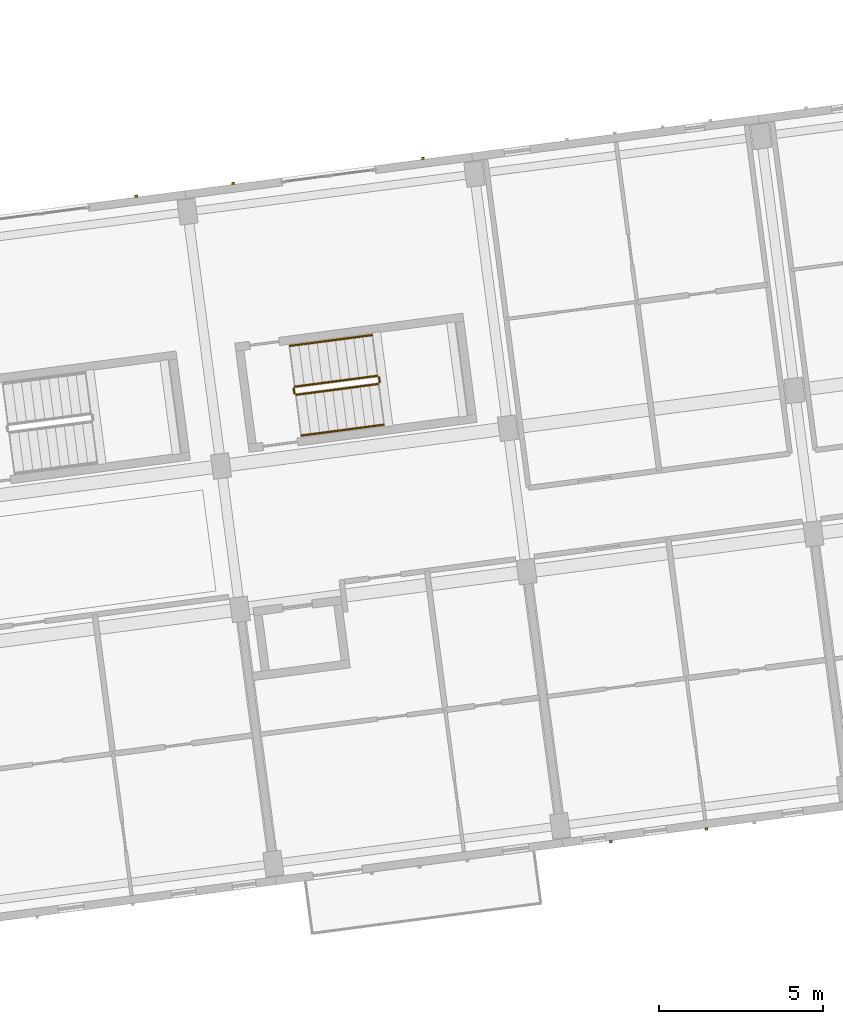
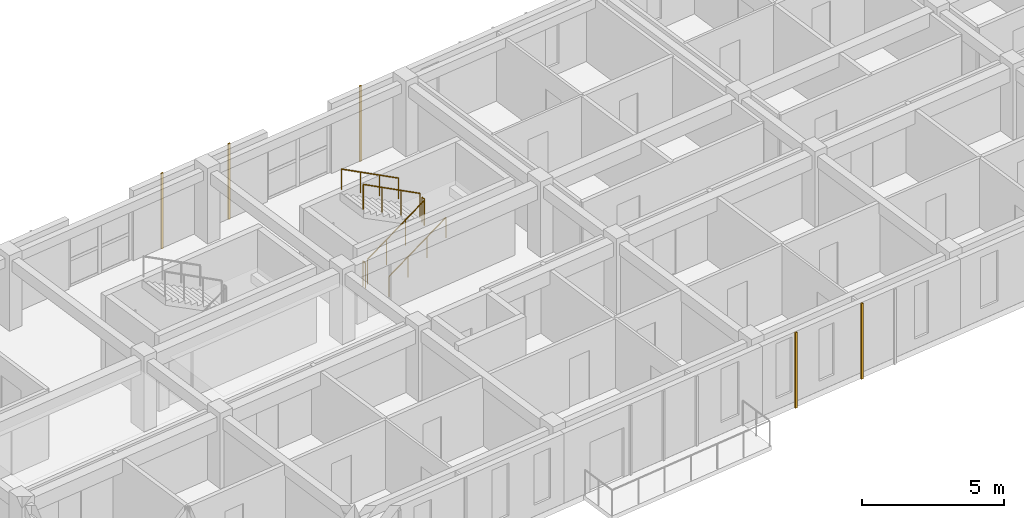
# One storey, part 43 of 65: 6 railings, 5 coverings.
"""IFC4 building model written with IfcOpenShell, lengths in metres."""

from ifc_helpers import new_model, si_unit, direction, frame, origin, origin_2d, place, context, subcontext, project, spatial, rectangle, circle, extrude, material, layer, layer_set, type_object, element, save


model = new_model("IFC4")

# Units and contexts
model_context = context("Model", 3, precision=1e-05, world=origin(), true_north=direction((0.0, 1.0)))
body_context = subcontext(model_context, "Body", "Model", "MODEL_VIEW")
ifc_project = project(units=[si_unit("LENGTHUNIT", "METRE"), si_unit("AREAUNIT", "SQUARE_METRE"), si_unit("VOLUMEUNIT", "CUBIC_METRE"), si_unit("PLANEANGLEUNIT", "RADIAN"), si_unit("MASSUNIT", "GRAM", prefix="KILO")], contexts=[model_context])

# Site, building, storey
site_placement = place(None, origin())
site = spatial("IfcSite", under=ifc_project, at=site_placement, CompositionType="ELEMENT")
building_placement = place(site_placement, origin())
building = spatial("IfcBuilding", under=site, at=building_placement, Name="Kestramere Prow Commons", CompositionType="ELEMENT")
storey_placement = place(building_placement, frame((0.0, 0.0, 21.39990234375)))
storey = spatial("IfcBuildingStorey", under=building, at=storey_placement, Name="L06", CompositionType="ELEMENT", Elevation=21.39990234375)

# Coverings
ifc_material_1 = material(Name="Weathered Zinc-Titanium Standing-Seam Cladding")
ifc_layer = layer(ifc_material_1, 0.074951171875)
ifc_layer_set = layer_set([ifc_layer], Name="Weathered Zinc-Titanium Standing-Seam Cladding")
covering_type = type_object("IfcCoveringType", Name="COV-CLAD-SEAM", PredefinedType="CLADDING", material=ifc_layer_set)
for number, where, z_axis, x_axis, name in (
    (1, (41.824951171875, 75.348388671875, -0.25), (0.0, 0.0, 1.0), (-0.991444861374, -0.13052619222, 0.0), "EW-A-L06-S-3 Standing-Seam Rib 3"),
    (2, (38.916748046875, 74.965576171875, -0.25), (0.0, 0.0, 1.0), (-0.991444861374, -0.13052619222, 0.0), "EW-A-L06-S-3 Standing-Seam Rib 5"),
    (3, (24.4755859375, 94.603759765625, -0.25), (0.0, 0.0, 1.0), (0.991444861374, 0.13052619222, 0.0), "EW-A-L06-NP-1-R Standing-Seam Rib 1"),
    (4, (27.42529296875, 94.991943359375, -0.25), (0.0, 0.0, 1.0), (0.991444861374, 0.13052619222, 0.0), "EW-A-L06-NP-2-L Standing-Seam Rib 1"),
    (5, (33.200439453125, 95.75244140625, -0.25), (0.0, 0.0, 1.0), (0.991444861374, 0.13052619222, 0.0), "EW-A-L06-NP-2-R Standing-Seam Rib 1"),
):
    element("IfcCovering", number, at=place(storey_placement, frame(where, z_axis=z_axis, x_axis=x_axis)), inside=storey, type_object=covering_type, Name=name, PredefinedType="CLADDING", context=body_context, shape_type="SweptSolid", body=[
        extrude(rectangle(XDim=0.0849609375, YDim=0.06494140625, at=origin_2d()), origin(), (0.0, 0.0, 1.0), 3.25),
    ])

# Railings
ifc_material_2 = material(Name="Galvanised Steel S275JR", Category="steel")
railing_type_1 = type_object("IfcRailingType", Name="RL-ST-GR-1100", PredefinedType="GUARDRAIL", material=ifc_material_2)
railing_1_placement = place(storey_placement, frame((29.34375, 88.559814453125, 0.16259765625)))
element("IfcRailing", 6, at=railing_1_placement, inside=storey, type_object=railing_type_1, Name="L06 ST-A2 stair guard 1", PredefinedType="GUARDRAIL", context=body_context, shape_type="SweptSolid", body=[
    extrude(circle(Radius=0.02392578125, at=origin_2d()), frame((0.0, 0.0, 1.076171875), z_axis=(0.857492745196, 0.112958098361, 0.501942885148), x_axis=(-0.130602379397, 0.991434828164, 0.0)), (0.0, 0.0, 1.0), 2.91357421875),
    extrude(circle(Radius=0.02099609375, at=origin_2d()), origin(), (0.0, 0.0, 1.0), 1.052001953125),
    extrude(circle(Radius=0.02099609375, at=origin_2d()), frame((0.832763671875, 0.109619140625, 0.487548828125)), (0.0, 0.0, 1.0), 1.052001953125),
    extrude(circle(Radius=0.02099609375, at=origin_2d()), frame((1.66552734375, 0.219482421875, 0.974853515625)), (0.0, 0.0, 1.0), 1.052001953125),
    extrude(circle(Radius=0.02099609375, at=origin_2d()), frame((2.498291015625, 0.3291015625, 1.46240234375)), (0.0, 0.0, 1.0), 1.052001953125),
])
railing_2_placement = place(storey_placement, frame((31.88525390625, 88.94482421875, 1.625)))
element("IfcRailing", 7, at=railing_2_placement, inside=storey, type_object=railing_type_1, Name="L06 ST-A2 stair guard 2", PredefinedType="GUARDRAIL", context=body_context, shape_type="SweptSolid", body=[
    extrude(circle(Radius=0.02392578125, at=origin_2d()), frame((0.0, 0.0, 1.076171875), z_axis=(-0.1300340368, 0.991509530601, 0.0), x_axis=(-0.991509530601, -0.1300340368, 0.0)), (0.0, 0.0, 1.0), 0.150146484375),
    extrude(circle(Radius=0.02099609375, at=origin_2d()), origin(), (0.0, 0.0, 1.0), 1.052001953125),
    extrude(circle(Radius=0.02099609375, at=origin_2d()), frame((-0.01953125, 0.14892578125, 0.0)), (0.0, 0.0, 1.0), 1.052001953125),
])
railing_3_placement = place(storey_placement, frame((31.8095703125, 89.13671875, 1.78759765625)))
element("IfcRailing", 8, at=railing_3_placement, inside=storey, type_object=railing_type_1, Name="L06 ST-A2 stair guard 3", PredefinedType="GUARDRAIL", context=body_context, shape_type="SweptSolid", body=[
    extrude(circle(Radius=0.02392578125, at=origin_2d()), frame((0.0, 0.0, 1.076171875), z_axis=(-0.85752303711, -0.112867259233, 0.501911568525), x_axis=(0.130494608992, -0.991449018873, 0.0)), (0.0, 0.0, 1.0), 2.91357421875),
    extrude(circle(Radius=0.02099609375, at=origin_2d()), origin(), (0.0, 0.0, 1.0), 1.052001953125),
    extrude(circle(Radius=0.02099609375, at=origin_2d()), frame((-0.832763671875, -0.109619140625, 0.487548828125)), (0.0, 0.0, 1.0), 1.052001953125),
    extrude(circle(Radius=0.02099609375, at=origin_2d()), frame((-1.665771484375, -0.21923828125, 0.974853515625)), (0.0, 0.0, 1.0), 1.052001953125),
    extrude(circle(Radius=0.02099609375, at=origin_2d()), frame((-2.49853515625, -0.328857421875, 1.46240234375)), (0.0, 0.0, 1.0), 1.052001953125),
])
railing_4_placement = place(storey_placement, frame((29.28759765625, 88.60302734375, 0.0)))
element("IfcRailing", 9, at=railing_4_placement, inside=storey, type_object=railing_type_1, Name="L06 ST-A2 stair guard 4", PredefinedType="GUARDRAIL", context=body_context, shape_type="SweptSolid", body=[
    extrude(circle(Radius=0.02392578125, at=origin_2d()), frame((0.0, 0.0, 1.076171875), z_axis=(-0.130243938252, 0.991481979941, 0.0), x_axis=(-0.991481979941, -0.130243938252, 0.0)), (0.0, 0.0, 1.0), 0.14990234375),
    extrude(circle(Radius=0.02099609375, at=origin_2d()), origin(), (0.0, 0.0, 1.0), 1.052001953125),
    extrude(circle(Radius=0.02099609375, at=origin_2d()), frame((-0.01953125, 0.148681640625, 0.0)), (0.0, 0.0, 1.0), 1.052001953125),
])
ifc_material_3 = material(Name="Stainless Steel 304", Category="steel")
railing_type_2 = type_object("IfcRailingType", Name="RL-ST-HR-900", PredefinedType="HANDRAIL", material=ifc_material_3)
railing_5_placement = place(storey_placement, frame((29.5068359375, 87.320556640625, 0.3251953125)))
element("IfcRailing", 10, at=railing_5_placement, inside=storey, type_object=railing_type_2, Name="L06 ST-A2 stair handrail 1", PredefinedType="HANDRAIL", context=body_context, shape_type="SweptSolid", body=[
    extrude(circle(Radius=0.02392578125, at=origin_2d()), frame((0.0, 0.0, 0.8759765625), z_axis=(0.85752303711, 0.112867259233, 0.501911568525), x_axis=(-0.130494608992, 0.991449018873, 0.0)), (0.0, 0.0, 1.0), 2.91357421875),
    extrude(circle(Radius=0.02099609375, at=origin_2d()), origin(), (0.0, 0.0, 1.0), 0.851806640625),
    extrude(circle(Radius=0.02099609375, at=origin_2d()), frame((0.832763671875, 0.109619140625, 0.487548828125)), (0.0, 0.0, 1.0), 0.851806640625),
    extrude(circle(Radius=0.02099609375, at=origin_2d()), frame((1.665771484375, 0.21923828125, 0.974853515625)), (0.0, 0.0, 1.0), 0.851806640625),
    extrude(circle(Radius=0.02099609375, at=origin_2d()), frame((2.49853515625, 0.328857421875, 1.46240234375)), (0.0, 0.0, 1.0), 0.851806640625),
])
railing_6_placement = place(storey_placement, frame((31.646484375, 90.3759765625, 1.9501953125)))
element("IfcRailing", 11, at=railing_6_placement, inside=storey, type_object=railing_type_2, Name="L06 ST-A2 stair handrail 2", PredefinedType="HANDRAIL", context=body_context, shape_type="SweptSolid", body=[
    extrude(circle(Radius=0.02392578125, at=origin_2d()), frame((0.0, 0.0, 0.8759765625), z_axis=(-0.85752303711, -0.112867259233, 0.501911568525), x_axis=(0.130494608992, -0.991449018873, 0.0)), (0.0, 0.0, 1.0), 2.91357421875),
    extrude(circle(Radius=0.02099609375, at=origin_2d()), origin(), (0.0, 0.0, 1.0), 0.851806640625),
    extrude(circle(Radius=0.02099609375, at=origin_2d()), frame((-0.832763671875, -0.109619140625, 0.487548828125)), (0.0, 0.0, 1.0), 0.851806640625),
    extrude(circle(Radius=0.02099609375, at=origin_2d()), frame((-1.665771484375, -0.21923828125, 0.974853515625)), (0.0, 0.0, 1.0), 0.851806640625),
    extrude(circle(Radius=0.02099609375, at=origin_2d()), frame((-2.49853515625, -0.328857421875, 1.46240234375)), (0.0, 0.0, 1.0), 0.851806640625),
])

save(model, "model.ifc")
